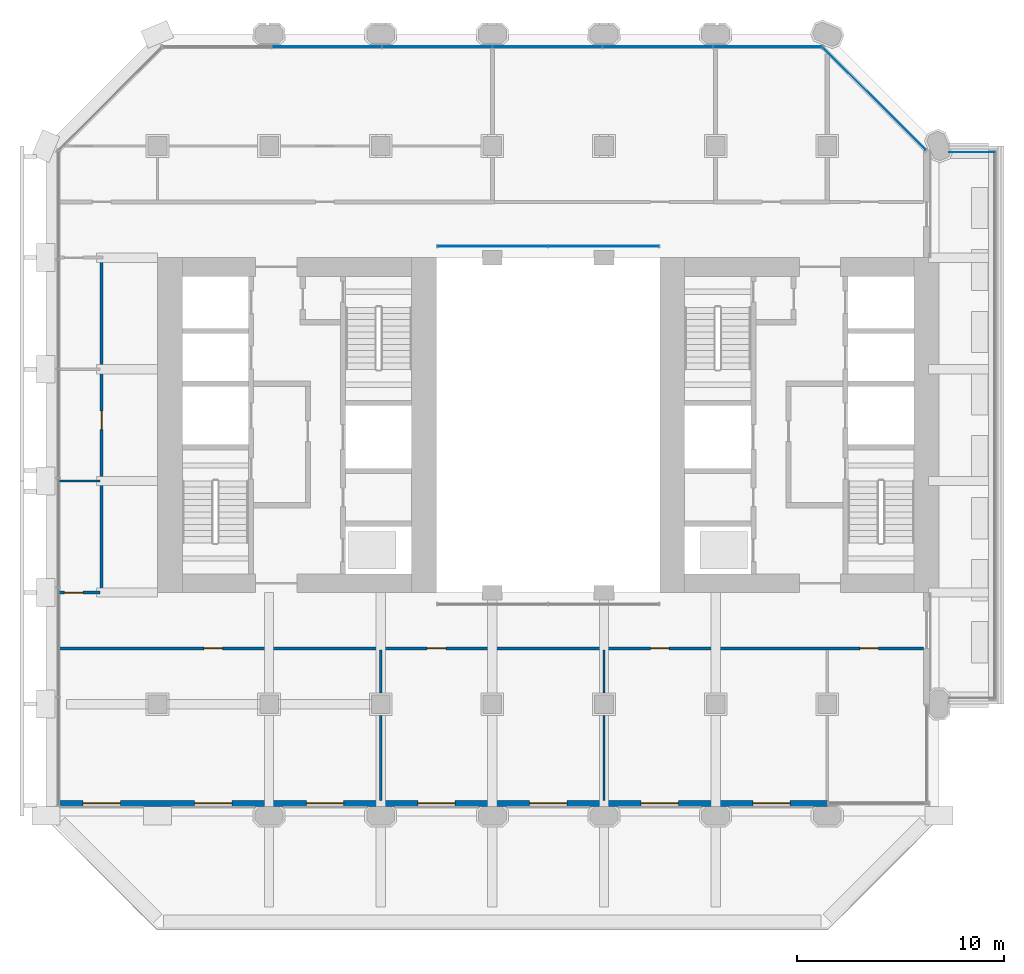
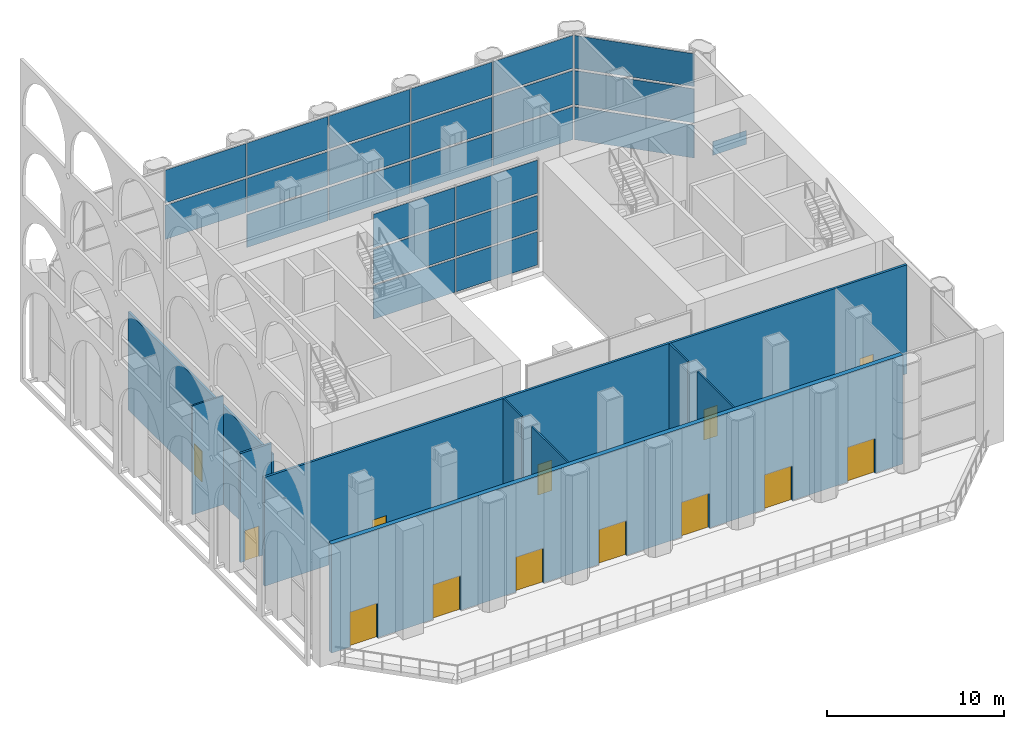
# One storey, part 9 of 20: 24 plates, 13 doors, 9 walls, 13 openings, 3 elements without a shape of their own.
"""IFC4 building model written with IfcOpenShell, lengths in metres."""

from ifc_helpers import new_model, si_unit, direction, frame, frame_2d, origin, origin_2d, place, context, subcontext, project, spatial, rectangle, extrude, material, layer, layer_set, type_object, element, fill, aggregate, save


model = new_model("IFC4")

# Units and contexts
model_context = context("Model", 3, precision=1e-05, world=origin(), true_north=direction((0.0, 1.0)))
body_context = subcontext(model_context, "Body", "Model", "MODEL_VIEW")
ifc_project = project(units=[si_unit("LENGTHUNIT", "METRE"), si_unit("AREAUNIT", "SQUARE_METRE"), si_unit("VOLUMEUNIT", "CUBIC_METRE"), si_unit("PLANEANGLEUNIT", "RADIAN"), si_unit("MASSUNIT", "GRAM", prefix="KILO")], contexts=[model_context])

# Site, building, storey
site_placement = place(None, origin())
site = spatial("IfcSite", under=ifc_project, at=site_placement, CompositionType="ELEMENT")
building_placement = place(site_placement, origin())
building = spatial("IfcBuilding", under=site, at=building_placement, Name="Tabaq Tower and Sports Hall", CompositionType="ELEMENT")
storey_placement = place(building_placement, frame((0.0, 0.0, 130.60009765625)))
storey = spatial("IfcBuildingStorey", under=building, at=storey_placement, Name="L31", CompositionType="ELEMENT", Elevation=130.60009765625)

# Curtain wall, plates
ifc_material_1 = material(Name="Aluminium alloy 6063-T6 framed glazing", Category="aluminium")
curtain_wall_type_1 = type_object("IfcCurtainWallType", Name="CW1 curtain wall", PredefinedType="USERDEFINED", material=ifc_material_1)
curtain_wall_1_placement = place(storey_placement, origin())
curtain_wall_1 = element("IfcCurtainWall", 1, at=curtain_wall_1_placement, inside=storey, type_object=curtain_wall_type_1, Name="Atrium glazing L31 N", ObjectType="ATRIUM ENCLOSURE", PredefinedType="USERDEFINED")
ifc_material_2 = material(Name="Clear low-emissivity glass 28 mm", Category="glass")
ifc_layer_1 = layer(ifc_material_2, 0.028076171875)
ifc_layer_set_1 = layer_set([ifc_layer_1], Name="CW1 glass panel 28")
plate_type_1 = type_object("IfcPlateType", Name="CW1 glass panel 28", PredefinedType="CURTAIN_PANEL", material=ifc_layer_set_1)
plate_1_placement = place(storey_placement, frame((21.614990234375, 32.949951171875, 0.139892578125), z_axis=(0.0, 0.0, 1.0), x_axis=(1.0, 0.0, 0.0)))
plate_1 = element("IfcPlate", 2, at=plate_1_placement, type_object=plate_type_1, Name="CW1 panel 1.1", PredefinedType="CURTAIN_PANEL", context=body_context, shape_type="SweptSolid", body=[
    extrude(rectangle(XDim=5.31005859375, YDim=0.028076171875, at=origin_2d()), origin(), (0.0, 0.0, 1.0), 2.2900390625),
])
plate_2_placement = place(storey_placement, frame((21.614990234375, 32.949951171875, 2.56982421875), z_axis=(0.0, 0.0, 1.0), x_axis=(1.0, 0.0, 0.0)))
plate_2 = element("IfcPlate", 3, at=plate_2_placement, type_object=plate_type_1, Name="CW1 panel 1.2", PredefinedType="CURTAIN_PANEL", context=body_context, shape_type="SweptSolid", body=[
    extrude(rectangle(XDim=5.31005859375, YDim=0.028076171875, at=origin_2d()), origin(), (0.0, 0.0, 1.0), 2.360107421875),
])
plate_3_placement = place(storey_placement, frame((21.614990234375, 32.949951171875, 5.06982421875), z_axis=(0.0, 0.0, 1.0), x_axis=(1.0, 0.0, 0.0)))
plate_3 = element("IfcPlate", 4, at=plate_3_placement, type_object=plate_type_1, Name="CW1 panel 1.3", PredefinedType="CURTAIN_PANEL", context=body_context, shape_type="SweptSolid", body=[
    extrude(rectangle(XDim=5.31005859375, YDim=0.028076171875, at=origin_2d()), origin(), (0.0, 0.0, 1.0), 2.2900390625),
])
plate_4_placement = place(storey_placement, frame((26.985107421875, 32.949951171875, 0.139892578125), z_axis=(0.0, 0.0, 1.0), x_axis=(1.0, 0.0, 0.0)))
plate_4 = element("IfcPlate", 5, at=plate_4_placement, type_object=plate_type_1, Name="CW1 panel 2.1", PredefinedType="CURTAIN_PANEL", context=body_context, shape_type="SweptSolid", body=[
    extrude(rectangle(XDim=5.31005859375, YDim=0.028076171875, at=origin_2d()), origin(), (0.0, 0.0, 1.0), 2.2900390625),
])
plate_5_placement = place(storey_placement, frame((26.985107421875, 32.949951171875, 2.56982421875), z_axis=(0.0, 0.0, 1.0), x_axis=(1.0, 0.0, 0.0)))
plate_5 = element("IfcPlate", 6, at=plate_5_placement, type_object=plate_type_1, Name="CW1 panel 2.2", PredefinedType="CURTAIN_PANEL", context=body_context, shape_type="SweptSolid", body=[
    extrude(rectangle(XDim=5.31005859375, YDim=0.028076171875, at=origin_2d()), origin(), (0.0, 0.0, 1.0), 2.360107421875),
])
plate_6_placement = place(storey_placement, frame((26.985107421875, 32.949951171875, 5.06982421875), z_axis=(0.0, 0.0, 1.0), x_axis=(1.0, 0.0, 0.0)))
plate_6 = element("IfcPlate", 7, at=plate_6_placement, type_object=plate_type_1, Name="CW1 panel 2.3", PredefinedType="CURTAIN_PANEL", context=body_context, shape_type="SweptSolid", body=[
    extrude(rectangle(XDim=5.31005859375, YDim=0.028076171875, at=origin_2d()), origin(), (0.0, 0.0, 1.0), 2.2900390625),
])
aggregate(curtain_wall_1, [plate_1, plate_2, plate_3, plate_4, plate_5, plate_6])

ifc_material_3 = material(Name="Aluminium alloy 6063-T6 framed glazing", Category="aluminium")
curtain_wall_type_2 = type_object("IfcCurtainWallType", Name="CW2 curtain wall", PredefinedType="USERDEFINED", material=ifc_material_3)
curtain_wall_2_placement = place(storey_placement, origin())
curtain_wall_2 = element("IfcCurtainWall", 8, at=curtain_wall_2_placement, inside=storey, type_object=curtain_wall_type_2, Name="Sky Lobby Wall L31 NE", ObjectType="SKY LOBBY WALL", PredefinedType="USERDEFINED")
ifc_material_4 = material(Name="Clear low-emissivity glass 28 mm", Category="glass")
ifc_layer_2 = layer(ifc_material_4, 0.031982421875)
ifc_layer_set_2 = layer_set([ifc_layer_2], Name="CW2 glass panel 32")
plate_type_2 = type_object("IfcPlateType", Name="CW2 glass panel 32", PredefinedType="CURTAIN_PANEL", material=ifc_layer_set_2)
plate_7_placement = place(storey_placement, frame((40.07568359375, 40.07568359375, 0.15966796875), z_axis=(0.0, 0.0, 1.0), x_axis=(-0.707106781187, 0.707106781187, 0.0)))
plate_7 = element("IfcPlate", 9, at=plate_7_placement, type_object=plate_type_2, Name="CW2 panel 1.1", PredefinedType="CURTAIN_PANEL", context=body_context, shape_type="SweptSolid", body=[
    extrude(rectangle(XDim=6.999755859375, YDim=0.031982421875, at=origin_2d()), origin(), (0.0, 0.0, 1.0), 2.260009765625),
])
plate_8_placement = place(storey_placement, frame((40.07568359375, 40.07568359375, 2.580078125), z_axis=(0.0, 0.0, 1.0), x_axis=(-0.707106781187, 0.707106781187, 0.0)))
plate_8 = element("IfcPlate", 10, at=plate_8_placement, type_object=plate_type_2, Name="CW2 panel 1.2", PredefinedType="CURTAIN_PANEL", context=body_context, shape_type="SweptSolid", body=[
    extrude(rectangle(XDim=6.999755859375, YDim=0.031982421875, at=origin_2d()), origin(), (0.0, 0.0, 1.0), 2.340087890625),
])
plate_9_placement = place(storey_placement, frame((40.07568359375, 40.07568359375, 5.080078125), z_axis=(0.0, 0.0, 1.0), x_axis=(-0.707106781187, 0.707106781187, 0.0)))
plate_9 = element("IfcPlate", 11, at=plate_9_placement, type_object=plate_type_2, Name="CW2 panel 1.3", PredefinedType="CURTAIN_PANEL", context=body_context, shape_type="SweptSolid", body=[
    extrude(rectangle(XDim=6.999755859375, YDim=0.031982421875, at=origin_2d()), origin(), (0.0, 0.0, 1.0), 2.260009765625),
])
aggregate(curtain_wall_2, [plate_7, plate_8, plate_9])

curtain_wall_3_placement = place(storey_placement, origin())
curtain_wall_3 = element("IfcCurtainWall", 12, at=curtain_wall_3_placement, inside=storey, type_object=curtain_wall_type_2, Name="Sky Lobby Wall L31 N", ObjectType="SKY LOBBY WALL", PredefinedType="USERDEFINED")
plate_10_placement = place(storey_placement, frame((34.92724609375, 42.60009765625, 0.15966796875), z_axis=(0.0, 0.0, 1.0), x_axis=(-1.0, 0.0, 0.0)))
plate_10 = element("IfcPlate", 13, at=plate_10_placement, type_object=plate_type_2, Name="CW2 panel 1.1", PredefinedType="CURTAIN_PANEL", context=body_context, shape_type="SweptSolid", body=[
    extrude(rectangle(XDim=5.23291015625, YDim=0.031982421875, at=origin_2d()), origin(), (0.0, 0.0, 1.0), 2.260009765625),
])
plate_11_placement = place(storey_placement, frame((34.92724609375, 42.60009765625, 2.580078125), z_axis=(0.0, 0.0, 1.0), x_axis=(-1.0, 0.0, 0.0)))
plate_11 = element("IfcPlate", 14, at=plate_11_placement, type_object=plate_type_2, Name="CW2 panel 1.2", PredefinedType="CURTAIN_PANEL", context=body_context, shape_type="SweptSolid", body=[
    extrude(rectangle(XDim=5.23291015625, YDim=0.031982421875, at=origin_2d()), origin(), (0.0, 0.0, 1.0), 2.340087890625),
])
plate_12_placement = place(storey_placement, frame((34.92724609375, 42.60009765625, 5.080078125), z_axis=(0.0, 0.0, 1.0), x_axis=(-1.0, 0.0, 0.0)))
plate_12 = element("IfcPlate", 15, at=plate_12_placement, type_object=plate_type_2, Name="CW2 panel 1.3", PredefinedType="CURTAIN_PANEL", context=body_context, shape_type="SweptSolid", body=[
    extrude(rectangle(XDim=5.23291015625, YDim=0.031982421875, at=origin_2d()), origin(), (0.0, 0.0, 1.0), 2.260009765625),
])
plate_13_placement = place(storey_placement, frame((29.606689453125, 42.60009765625, 0.15966796875), z_axis=(0.0, 0.0, 1.0), x_axis=(-1.0, 0.0, 0.0)))
plate_13 = element("IfcPlate", 16, at=plate_13_placement, type_object=plate_type_2, Name="CW2 panel 2.1", PredefinedType="CURTAIN_PANEL", context=body_context, shape_type="SweptSolid", body=[
    extrude(rectangle(XDim=5.267822265625, YDim=0.031982421875, at=origin_2d()), origin(), (0.0, 0.0, 1.0), 2.260009765625),
])
plate_14_placement = place(storey_placement, frame((29.606689453125, 42.60009765625, 2.580078125), z_axis=(0.0, 0.0, 1.0), x_axis=(-1.0, 0.0, 0.0)))
plate_14 = element("IfcPlate", 17, at=plate_14_placement, type_object=plate_type_2, Name="CW2 panel 2.2", PredefinedType="CURTAIN_PANEL", context=body_context, shape_type="SweptSolid", body=[
    extrude(rectangle(XDim=5.267822265625, YDim=0.031982421875, at=origin_2d()), origin(), (0.0, 0.0, 1.0), 2.340087890625),
])
plate_15_placement = place(storey_placement, frame((29.606689453125, 42.60009765625, 5.080078125), z_axis=(0.0, 0.0, 1.0), x_axis=(-1.0, 0.0, 0.0)))
plate_15 = element("IfcPlate", 18, at=plate_15_placement, type_object=plate_type_2, Name="CW2 panel 2.3", PredefinedType="CURTAIN_PANEL", context=body_context, shape_type="SweptSolid", body=[
    extrude(rectangle(XDim=5.267822265625, YDim=0.031982421875, at=origin_2d()), origin(), (0.0, 0.0, 1.0), 2.260009765625),
])
plate_16_placement = place(storey_placement, frame((24.26904296875, 42.60009765625, 0.15966796875), z_axis=(0.0, 0.0, 1.0), x_axis=(-1.0, 0.0, 0.0)))
plate_16 = element("IfcPlate", 19, at=plate_16_placement, type_object=plate_type_2, Name="CW2 panel 3.1", PredefinedType="CURTAIN_PANEL", context=body_context, shape_type="SweptSolid", body=[
    extrude(rectangle(XDim=5.267822265625, YDim=0.031982421875, at=origin_2d()), origin(), (0.0, 0.0, 1.0), 2.260009765625),
])
plate_17_placement = place(storey_placement, frame((24.26904296875, 42.60009765625, 2.580078125), z_axis=(0.0, 0.0, 1.0), x_axis=(-1.0, 0.0, 0.0)))
plate_17 = element("IfcPlate", 20, at=plate_17_placement, type_object=plate_type_2, Name="CW2 panel 3.2", PredefinedType="CURTAIN_PANEL", context=body_context, shape_type="SweptSolid", body=[
    extrude(rectangle(XDim=5.267822265625, YDim=0.031982421875, at=origin_2d()), origin(), (0.0, 0.0, 1.0), 2.340087890625),
])
plate_18_placement = place(storey_placement, frame((24.26904296875, 42.60009765625, 5.080078125), z_axis=(0.0, 0.0, 1.0), x_axis=(-1.0, 0.0, 0.0)))
plate_18 = element("IfcPlate", 21, at=plate_18_placement, type_object=plate_type_2, Name="CW2 panel 3.3", PredefinedType="CURTAIN_PANEL", context=body_context, shape_type="SweptSolid", body=[
    extrude(rectangle(XDim=5.267822265625, YDim=0.031982421875, at=origin_2d()), origin(), (0.0, 0.0, 1.0), 2.260009765625),
])
plate_19_placement = place(storey_placement, frame((18.93115234375, 42.60009765625, 0.15966796875), z_axis=(0.0, 0.0, 1.0), x_axis=(-1.0, 0.0, 0.0)))
plate_19 = element("IfcPlate", 22, at=plate_19_placement, type_object=plate_type_2, Name="CW2 panel 4.1", PredefinedType="CURTAIN_PANEL", context=body_context, shape_type="SweptSolid", body=[
    extrude(rectangle(XDim=5.267822265625, YDim=0.031982421875, at=origin_2d()), origin(), (0.0, 0.0, 1.0), 2.260009765625),
])
plate_20_placement = place(storey_placement, frame((18.93115234375, 42.60009765625, 2.580078125), z_axis=(0.0, 0.0, 1.0), x_axis=(-1.0, 0.0, 0.0)))
plate_20 = element("IfcPlate", 23, at=plate_20_placement, type_object=plate_type_2, Name="CW2 panel 4.2", PredefinedType="CURTAIN_PANEL", context=body_context, shape_type="SweptSolid", body=[
    extrude(rectangle(XDim=5.267822265625, YDim=0.031982421875, at=origin_2d()), origin(), (0.0, 0.0, 1.0), 2.340087890625),
])
plate_21_placement = place(storey_placement, frame((18.93115234375, 42.60009765625, 5.080078125), z_axis=(0.0, 0.0, 1.0), x_axis=(-1.0, 0.0, 0.0)))
plate_21 = element("IfcPlate", 24, at=plate_21_placement, type_object=plate_type_2, Name="CW2 panel 4.3", PredefinedType="CURTAIN_PANEL", context=body_context, shape_type="SweptSolid", body=[
    extrude(rectangle(XDim=5.267822265625, YDim=0.031982421875, at=origin_2d()), origin(), (0.0, 0.0, 1.0), 2.260009765625),
])
plate_22_placement = place(storey_placement, frame((13.59326171875, 42.60009765625, 2.580078125), z_axis=(0.0, 0.0, 1.0), x_axis=(-1.0, 0.0, 0.0)))
plate_22 = element("IfcPlate", 25, at=plate_22_placement, type_object=plate_type_2, Name="CW2 panel 5.2", PredefinedType="CURTAIN_PANEL", context=body_context, shape_type="SweptSolid", body=[
    extrude(rectangle(XDim=5.267822265625, YDim=0.031982421875, at=origin_2d()), origin(), (0.0, 0.0, 1.0), 2.340087890625),
])
plate_23_placement = place(storey_placement, frame((13.59326171875, 42.60009765625, 5.080078125), z_axis=(0.0, 0.0, 1.0), x_axis=(-1.0, 0.0, 0.0)))
plate_23 = element("IfcPlate", 26, at=plate_23_placement, type_object=plate_type_2, Name="CW2 panel 5.3", PredefinedType="CURTAIN_PANEL", context=body_context, shape_type="SweptSolid", body=[
    extrude(rectangle(XDim=5.267822265625, YDim=0.031982421875, at=origin_2d()), origin(), (0.0, 0.0, 1.0), 2.260009765625),
])
aggregate(curtain_wall_3, [plate_10, plate_11, plate_12, plate_13, plate_14, plate_15, plate_16, plate_17, plate_18, plate_19, plate_20, plate_21, plate_22, plate_23])

# Plate
ifc_material_5 = material(Name="Clear low-emissivity glass 28 mm", Category="glass")
ifc_layer_3 = layer(ifc_material_5, 0.02001953125)
ifc_layer_set_3 = layer_set([ifc_layer_3], Name="Laminated glass tray guard panel 20")
plate_type_3 = type_object("IfcPlateType", Name="Laminated glass tray guard panel 20", PredefinedType="USERDEFINED", material=ifc_layer_set_3)
plate_24_placement = place(storey_placement, frame((45.89990234375, 37.5, 0.0), z_axis=(0.0, 0.0, 1.0), x_axis=(-1.0, 0.0, 0.0)))
element("IfcPlate", 27, at=plate_24_placement, inside=storey, type_object=plate_type_3, Name="Tray guard glass L31", ObjectType="GUARD GLASS", PredefinedType="USERDEFINED", context=body_context, shape_type="SweptSolid", body=[
    extrude(rectangle(XDim=2.199951171875, YDim=0.02001953125, at=frame_2d((1.10009765625, 0.0))), origin(), (0.0, 0.0, 1.0), 0.949951171875),
])

# Walls
ifc_material_6 = material(Name="Gypsum board on steel studs", Category="steel")
ifc_layer_4 = layer(ifc_material_6, 0.10009765625)
ifc_layer_set_4 = layer_set([ifc_layer_4], Name="Partition 100 Gypsum board")
wall_type_1 = type_object("IfcWallType", Name="Partition 100 Gypsum board", PredefinedType="PARTITIONING", material=ifc_layer_set_4)
wall_1_placement = place(storey_placement, frame((16.199951171875, 6.15087890625, 0.0), z_axis=(0.0, 0.0, 1.0), x_axis=(0.0, 1.0, 0.0)))
element("IfcWall", 28, at=wall_1_placement, inside=storey, type_object=wall_type_1, Name="Partition wall L31", PredefinedType="PARTITIONING", context=body_context, shape_type="SweptSolid", body=[
    extrude(rectangle(XDim=4.098388671875, YDim=0.10009765625, at=frame_2d((2.04931640625, 0.0))), origin(), (0.0, 0.0, 1.0), 7.5),
])
wall_2_placement = place(storey_placement, frame((16.199951171875, 11.3505859375, 0.0), z_axis=(0.0, 0.0, 1.0), x_axis=(0.0, 1.0, 0.0)))
element("IfcWall", 29, at=wall_2_placement, inside=storey, type_object=wall_type_1, Name="Partition wall L31", PredefinedType="PARTITIONING", context=body_context, shape_type="SweptSolid", body=[
    extrude(rectangle(XDim=2.074462890625, YDim=0.10009765625, at=frame_2d((1.037109375, 0.0))), origin(), (0.0, 0.0, 1.0), 7.5),
])
wall_3_placement = place(storey_placement, frame((27.0, 6.15087890625, 0.0), z_axis=(0.0, 0.0, 1.0), x_axis=(0.0, 1.0, 0.0)))
element("IfcWall", 30, at=wall_3_placement, inside=storey, type_object=wall_type_1, Name="Partition wall L31", PredefinedType="PARTITIONING", context=body_context, shape_type="SweptSolid", body=[
    extrude(rectangle(XDim=4.098388671875, YDim=0.10009765625, at=frame_2d((2.04931640625, 0.0))), origin(), (0.0, 0.0, 1.0), 7.5),
])
wall_4_placement = place(storey_placement, frame((27.0, 11.3505859375, 0.0), z_axis=(0.0, 0.0, 1.0), x_axis=(0.0, 1.0, 0.0)))
element("IfcWall", 31, at=wall_4_placement, inside=storey, type_object=wall_type_1, Name="Partition wall L31", PredefinedType="PARTITIONING", context=body_context, shape_type="SweptSolid", body=[
    extrude(rectangle(XDim=2.074462890625, YDim=0.10009765625, at=frame_2d((1.037109375, 0.0))), origin(), (0.0, 0.0, 1.0), 7.5),
])
wall_5_placement = place(storey_placement, frame((2.625, 21.60009765625, 0.0), z_axis=(0.0, 0.0, 1.0), x_axis=(-1.0, 0.0, 0.0)))
element("IfcWall", 32, at=wall_5_placement, inside=storey, type_object=wall_type_1, Name="Partition wall L31", PredefinedType="PARTITIONING", context=body_context, shape_type="SweptSolid", body=[
    extrude(rectangle(XDim=2.02490234375, YDim=0.10009765625, at=frame_2d((1.012451171875, 0.0))), origin(), (0.0, 0.0, 1.0), 7.5),
])

# Wall, opening, door
ifc_material_7 = material(Name="Blockwork", Category="masonry")
ifc_layer_5 = layer(ifc_material_7, 0.14990234375)
ifc_layer_set_5 = layer_set([ifc_layer_5], Name="Separating wall 150 Blockwork")
wall_type_2 = type_object("IfcWallType", Name="Separating wall 150 Blockwork", PredefinedType="PARTITIONING", material=ifc_layer_set_5)
wall_6_placement = place(storey_placement, frame((2.699951171875, 32.324951171875, 0.0), z_axis=(0.0, 0.0, 1.0), x_axis=(0.0, -1.0, 0.0)))
wall_6 = element("IfcWall", 33, at=wall_6_placement, inside=storey, type_object=wall_type_2, Name="Separating wall L31", PredefinedType="PARTITIONING", context=body_context, shape_type="SweptSolid", body=[
    extrude(rectangle(XDim=16.199951171875, YDim=0.14990234375, at=frame_2d((8.10009765625, 0.0))), origin(), (0.0, 0.0, 1.0), 6.75),
])
opening_1_placement = place(wall_6_placement, frame((7.35009765625, 0.0, 0.0)))
opening_1 = element("IfcOpeningElement", 34, at=opening_1_placement, cuts=wall_6, Name="Opening L31-006", PredefinedType="OPENING", context=body_context, shape_type="SweptSolid", body=[
    extrude(rectangle(XDim=0.89990234375, YDim=2.10009765625, at=frame_2d((0.449951171875, 1.050048828125))), frame((0.0, 0.074951171875, 0.0), z_axis=(0.0, -1.0, 0.0), x_axis=(1.0, 0.0, 0.0)), (0.0, 0.0, 1.0), 0.14990234375),
])
ifc_material_8 = material(Name="Timber leaf in steel frame", Category="steel")
door_type_1 = type_object("IfcDoorType", Name="Internal door 900 right hand", OperationType="SINGLE_SWING_RIGHT", PredefinedType="DOOR", material=ifc_material_8)
door_1_placement = place(opening_1_placement, origin())
door_1 = element("IfcDoor", 35, at=door_1_placement, inside=storey, type_object=door_type_1, Name="Internal door L31-006", OperationType="SINGLE_SWING_RIGHT", OverallHeight=2.10009765625, OverallWidth=0.89990234375, PredefinedType="DOOR", context=body_context, shape_type="SweptSolid", body=[
    extrude(rectangle(XDim=0.89990234375, YDim=2.10009765625, at=frame_2d((0.449951171875, 1.050048828125))), frame((0.0, 0.02490234375, 0.0), z_axis=(0.0, -1.0, 0.0), x_axis=(1.0, 0.0, 0.0)), (0.0, 0.0, 1.0), 0.050048828125),
])
fill(opening_1, door_1)

wall_7_placement = place(storey_placement, frame((2.625, 16.199951171875, 0.0), z_axis=(0.0, 0.0, 1.0), x_axis=(-1.0, 0.0, 0.0)))
wall_7 = element("IfcWall", 36, at=wall_7_placement, inside=storey, type_object=wall_type_2, Name="Separating wall L31", PredefinedType="PARTITIONING", context=body_context, shape_type="SweptSolid", body=[
    extrude(rectangle(XDim=2.02490234375, YDim=0.14990234375, at=frame_2d((1.012451171875, 0.0))), origin(), (0.0, 0.0, 1.0), 7.5),
])
opening_2_placement = place(wall_7_placement, frame((0.824951171875, 0.0, 0.0)))
opening_2 = element("IfcOpeningElement", 37, at=opening_2_placement, cuts=wall_7, Name="Opening L31-005", PredefinedType="OPENING", context=body_context, shape_type="SweptSolid", body=[
    extrude(rectangle(XDim=0.89990234375, YDim=2.10009765625, at=frame_2d((0.449951171875, 1.050048828125))), frame((0.0, 0.074951171875, 0.0), z_axis=(0.0, -1.0, 0.0), x_axis=(1.0, 0.0, 0.0)), (0.0, 0.0, 1.0), 0.14990234375),
])
door_2_placement = place(opening_2_placement, origin())
door_2 = element("IfcDoor", 38, at=door_2_placement, inside=storey, type_object=door_type_1, Name="Internal door L31-005", OperationType="SINGLE_SWING_RIGHT", OverallHeight=2.10009765625, OverallWidth=0.89990234375, PredefinedType="DOOR", context=body_context, shape_type="SweptSolid", body=[
    extrude(rectangle(XDim=0.89990234375, YDim=2.10009765625, at=frame_2d((0.449951171875, 1.050048828125))), frame((0.0, 0.02490234375, 0.0), z_axis=(0.0, -1.0, 0.0), x_axis=(1.0, 0.0, 0.0)), (0.0, 0.0, 1.0), 0.050048828125),
])
fill(opening_2, door_2)

# Wall, openings, doors
wall_8_placement = place(storey_placement, frame((0.60009765625, 13.5, 0.0), z_axis=(0.0, 0.0, 1.0), x_axis=(1.0, 0.0, 0.0)))
wall_8 = element("IfcWall", 39, at=wall_8_placement, inside=storey, type_object=wall_type_2, Name="Separating wall L31", PredefinedType="PARTITIONING", context=body_context, shape_type="SweptSolid", body=[
    extrude(rectangle(XDim=41.848876953125, YDim=0.14990234375, at=frame_2d((20.92431640625, 0.0))), origin(), (0.0, 0.0, 1.0), 7.5),
])
opening_3_placement = place(wall_8_placement, frame((38.77490234375, 0.0, 0.0)))
opening_3 = element("IfcOpeningElement", 40, at=opening_3_placement, cuts=wall_8, Name="Opening L31-004", PredefinedType="OPENING", context=body_context, shape_type="SweptSolid", body=[
    extrude(rectangle(XDim=0.89990234375, YDim=2.10009765625, at=frame_2d((0.449951171875, 1.050048828125))), frame((0.0, 0.074951171875, 0.0), z_axis=(0.0, -1.0, 0.0), x_axis=(1.0, 0.0, 0.0)), (0.0, 0.0, 1.0), 0.14990234375),
])
opening_4_placement = place(wall_8_placement, frame((7.050048828125, 0.0, 0.0)))
opening_4 = element("IfcOpeningElement", 41, at=opening_4_placement, cuts=wall_8, Name="Opening L31-010", PredefinedType="OPENING", context=body_context, shape_type="SweptSolid", body=[
    extrude(rectangle(XDim=0.89990234375, YDim=2.10009765625, at=frame_2d((0.449951171875, 1.050048828125))), frame((0.0, 0.074951171875, 0.0), z_axis=(0.0, -1.0, 0.0), x_axis=(1.0, 0.0, 0.0)), (0.0, 0.0, 1.0), 0.14990234375),
])
opening_5_placement = place(wall_8_placement, frame((17.85009765625, 0.0, 0.0)))
opening_5 = element("IfcOpeningElement", 42, at=opening_5_placement, cuts=wall_8, Name="Opening L31-011", PredefinedType="OPENING", context=body_context, shape_type="SweptSolid", body=[
    extrude(rectangle(XDim=0.89990234375, YDim=2.10009765625, at=frame_2d((0.449951171875, 1.050048828125))), frame((0.0, 0.074951171875, 0.0), z_axis=(0.0, -1.0, 0.0), x_axis=(1.0, 0.0, 0.0)), (0.0, 0.0, 1.0), 0.14990234375),
])
opening_6_placement = place(wall_8_placement, frame((28.64990234375, 0.0, 0.0)))
opening_6 = element("IfcOpeningElement", 43, at=opening_6_placement, cuts=wall_8, Name="Opening L31-012", PredefinedType="OPENING", context=body_context, shape_type="SweptSolid", body=[
    extrude(rectangle(XDim=0.89990234375, YDim=2.10009765625, at=frame_2d((0.449951171875, 1.050048828125))), frame((0.0, 0.074951171875, 0.0), z_axis=(0.0, -1.0, 0.0), x_axis=(1.0, 0.0, 0.0)), (0.0, 0.0, 1.0), 0.14990234375),
])
ifc_material_9 = material(Name="Timber leaf in steel frame", Category="steel")
door_type_2 = type_object("IfcDoorType", Name="Internal door 900 left hand", OperationType="SINGLE_SWING_LEFT", PredefinedType="DOOR", material=ifc_material_9)
door_3_placement = place(opening_3_placement, origin())
door_3 = element("IfcDoor", 44, at=door_3_placement, inside=storey, type_object=door_type_2, Name="Internal door L31-004", OperationType="SINGLE_SWING_LEFT", OverallHeight=2.10009765625, OverallWidth=0.89990234375, PredefinedType="DOOR", context=body_context, shape_type="SweptSolid", body=[
    extrude(rectangle(XDim=0.89990234375, YDim=2.10009765625, at=frame_2d((0.449951171875, 1.050048828125))), frame((0.0, 0.02490234375, 0.0), z_axis=(0.0, -1.0, 0.0), x_axis=(1.0, 0.0, 0.0)), (0.0, 0.0, 1.0), 0.050048828125),
])
fill(opening_3, door_3)
door_4_placement = place(opening_4_placement, origin())
door_4 = element("IfcDoor", 45, at=door_4_placement, inside=storey, type_object=door_type_1, Name="Internal door L31-010", OperationType="SINGLE_SWING_RIGHT", OverallHeight=2.10009765625, OverallWidth=0.89990234375, PredefinedType="DOOR", context=body_context, shape_type="SweptSolid", body=[
    extrude(rectangle(XDim=0.89990234375, YDim=2.10009765625, at=frame_2d((0.449951171875, 1.050048828125))), frame((0.0, 0.02490234375, 0.0), z_axis=(0.0, -1.0, 0.0), x_axis=(1.0, 0.0, 0.0)), (0.0, 0.0, 1.0), 0.050048828125),
])
fill(opening_4, door_4)
door_5_placement = place(opening_5_placement, origin())
door_5 = element("IfcDoor", 46, at=door_5_placement, inside=storey, type_object=door_type_1, Name="Internal door L31-011", OperationType="SINGLE_SWING_RIGHT", OverallHeight=2.10009765625, OverallWidth=0.89990234375, PredefinedType="DOOR", context=body_context, shape_type="SweptSolid", body=[
    extrude(rectangle(XDim=0.89990234375, YDim=2.10009765625, at=frame_2d((0.449951171875, 1.050048828125))), frame((0.0, 0.02490234375, 0.0), z_axis=(0.0, -1.0, 0.0), x_axis=(1.0, 0.0, 0.0)), (0.0, 0.0, 1.0), 0.050048828125),
])
fill(opening_5, door_5)
door_6_placement = place(opening_6_placement, origin())
door_6 = element("IfcDoor", 47, at=door_6_placement, inside=storey, type_object=door_type_1, Name="Internal door L31-012", OperationType="SINGLE_SWING_RIGHT", OverallHeight=2.10009765625, OverallWidth=0.89990234375, PredefinedType="DOOR", context=body_context, shape_type="SweptSolid", body=[
    extrude(rectangle(XDim=0.89990234375, YDim=2.10009765625, at=frame_2d((0.449951171875, 1.050048828125))), frame((0.0, 0.02490234375, 0.0), z_axis=(0.0, -1.0, 0.0), x_axis=(1.0, 0.0, 0.0)), (0.0, 0.0, 1.0), 0.050048828125),
])
fill(opening_6, door_6)

ifc_material_10 = material(Name="White precast concrete C60/75", Category="concrete")
ifc_layer_6 = layer(ifc_material_10, 0.300048828125)
ifc_layer_set_6 = layer_set([ifc_layer_6], Name="White precast concrete C60/75 external wall 300")
wall_type_3 = type_object("IfcWallType", Name="White precast concrete C60/75 external wall 300", PredefinedType="SOLIDWALL", material=ifc_layer_set_6)
wall_9_placement = place(storey_placement, frame((0.60009765625, 6.0, 0.0), z_axis=(0.0, 0.0, 1.0), x_axis=(1.0, 0.0, 0.0)))
wall_9 = element("IfcWall", 48, at=wall_9_placement, inside=storey, type_object=wall_type_3, Name="External Wall L31 S", PredefinedType="SOLIDWALL", context=body_context, shape_type="SweptSolid", body=[
    extrude(rectangle(XDim=37.199951171875, YDim=0.300048828125, at=frame_2d((18.60009765625, 0.0))), origin(), (0.0, 0.0, 1.0), 7.5),
])
opening_7_placement = place(wall_9_placement, frame((1.199951171875, 0.0, 0.0)))
opening_7 = element("IfcOpeningElement", 49, at=opening_7_placement, cuts=wall_9, Name="Opening TD3101", PredefinedType="OPENING", context=body_context, shape_type="SweptSolid", body=[
    extrude(rectangle(XDim=1.800048828125, YDim=2.39990234375, at=frame_2d((0.89990234375, 1.199951171875))), frame((0.0, 0.16015625, 0.0), z_axis=(0.0, -1.0, 0.0), x_axis=(1.0, 0.0, 0.0)), (0.0, 0.0, 1.0), 0.320068359375),
])
opening_8_placement = place(wall_9_placement, frame((6.60009765625, 0.0, 0.0)))
opening_8 = element("IfcOpeningElement", 50, at=opening_8_placement, cuts=wall_9, Name="Opening TD3102", PredefinedType="OPENING", context=body_context, shape_type="SweptSolid", body=[
    extrude(rectangle(XDim=1.800048828125, YDim=2.39990234375, at=frame_2d((0.89990234375, 1.199951171875))), frame((0.0, 0.16015625, 0.0), z_axis=(0.0, -1.0, 0.0), x_axis=(1.0, 0.0, 0.0)), (0.0, 0.0, 1.0), 0.320068359375),
])
opening_9_placement = place(wall_9_placement, frame((12.0, 0.0, 0.0)))
opening_9 = element("IfcOpeningElement", 51, at=opening_9_placement, cuts=wall_9, Name="Opening TD3103", PredefinedType="OPENING", context=body_context, shape_type="SweptSolid", body=[
    extrude(rectangle(XDim=1.800048828125, YDim=2.39990234375, at=frame_2d((0.89990234375, 1.199951171875))), frame((0.0, 0.16015625, 0.0), z_axis=(0.0, -1.0, 0.0), x_axis=(1.0, 0.0, 0.0)), (0.0, 0.0, 1.0), 0.320068359375),
])
opening_10_placement = place(wall_9_placement, frame((17.39990234375, 0.0, 0.0)))
opening_10 = element("IfcOpeningElement", 52, at=opening_10_placement, cuts=wall_9, Name="Opening TD3104", PredefinedType="OPENING", context=body_context, shape_type="SweptSolid", body=[
    extrude(rectangle(XDim=1.800048828125, YDim=2.39990234375, at=frame_2d((0.89990234375, 1.199951171875))), frame((0.0, 0.16015625, 0.0), z_axis=(0.0, -1.0, 0.0), x_axis=(1.0, 0.0, 0.0)), (0.0, 0.0, 1.0), 0.320068359375),
])
opening_11_placement = place(wall_9_placement, frame((22.800048828125, 0.0, 0.0)))
opening_11 = element("IfcOpeningElement", 53, at=opening_11_placement, cuts=wall_9, Name="Opening TD3105", PredefinedType="OPENING", context=body_context, shape_type="SweptSolid", body=[
    extrude(rectangle(XDim=1.800048828125, YDim=2.39990234375, at=frame_2d((0.89990234375, 1.199951171875))), frame((0.0, 0.16015625, 0.0), z_axis=(0.0, -1.0, 0.0), x_axis=(1.0, 0.0, 0.0)), (0.0, 0.0, 1.0), 0.320068359375),
])
opening_12_placement = place(wall_9_placement, frame((28.199951171875, 0.0, 0.0)))
opening_12 = element("IfcOpeningElement", 54, at=opening_12_placement, cuts=wall_9, Name="Opening TD3106", PredefinedType="OPENING", context=body_context, shape_type="SweptSolid", body=[
    extrude(rectangle(XDim=1.800048828125, YDim=2.39990234375, at=frame_2d((0.89990234375, 1.199951171875))), frame((0.0, 0.16015625, 0.0), z_axis=(0.0, -1.0, 0.0), x_axis=(1.0, 0.0, 0.0)), (0.0, 0.0, 1.0), 0.320068359375),
])
opening_13_placement = place(wall_9_placement, frame((33.60009765625, 0.0, 0.0)))
opening_13 = element("IfcOpeningElement", 55, at=opening_13_placement, cuts=wall_9, Name="Opening TD3107", PredefinedType="OPENING", context=body_context, shape_type="SweptSolid", body=[
    extrude(rectangle(XDim=1.800048828125, YDim=2.39990234375, at=frame_2d((0.89990234375, 1.199951171875))), frame((0.0, 0.16015625, 0.0), z_axis=(0.0, -1.0, 0.0), x_axis=(1.0, 0.0, 0.0)), (0.0, 0.0, 1.0), 0.320068359375),
])
ifc_material_11 = material(Name="Aluminium framed clear glazing", Category="aluminium")
door_type_3 = type_object("IfcDoorType", Name="Terrace door TD1", OperationType="DOUBLE_DOOR_DOUBLE_SWING", PredefinedType="DOOR", material=ifc_material_11)
door_7_placement = place(opening_7_placement, origin())
door_7 = element("IfcDoor", 56, at=door_7_placement, inside=storey, type_object=door_type_3, Name="Terrace door TD3101", OperationType="DOUBLE_DOOR_DOUBLE_SWING", OverallHeight=2.39990234375, OverallWidth=1.800048828125, PredefinedType="DOOR", context=body_context, shape_type="SweptSolid", body=[
    extrude(rectangle(XDim=1.800048828125, YDim=2.39990234375, at=frame_2d((0.89990234375, 1.199951171875))), frame((0.0, 0.02490234375, 0.0), z_axis=(0.0, -1.0, 0.0), x_axis=(1.0, 0.0, 0.0)), (0.0, 0.0, 1.0), 0.050048828125),
])
fill(opening_7, door_7)
door_8_placement = place(opening_8_placement, origin())
door_8 = element("IfcDoor", 57, at=door_8_placement, inside=storey, type_object=door_type_3, Name="Terrace door TD3102", OperationType="DOUBLE_DOOR_DOUBLE_SWING", OverallHeight=2.39990234375, OverallWidth=1.800048828125, PredefinedType="DOOR", context=body_context, shape_type="SweptSolid", body=[
    extrude(rectangle(XDim=1.800048828125, YDim=2.39990234375, at=frame_2d((0.89990234375, 1.199951171875))), frame((0.0, 0.02490234375, 0.0), z_axis=(0.0, -1.0, 0.0), x_axis=(1.0, 0.0, 0.0)), (0.0, 0.0, 1.0), 0.050048828125),
])
fill(opening_8, door_8)
door_9_placement = place(opening_9_placement, origin())
door_9 = element("IfcDoor", 58, at=door_9_placement, inside=storey, type_object=door_type_3, Name="Terrace door TD3103", OperationType="DOUBLE_DOOR_DOUBLE_SWING", OverallHeight=2.39990234375, OverallWidth=1.800048828125, PredefinedType="DOOR", context=body_context, shape_type="SweptSolid", body=[
    extrude(rectangle(XDim=1.800048828125, YDim=2.39990234375, at=frame_2d((0.89990234375, 1.199951171875))), frame((0.0, 0.02490234375, 0.0), z_axis=(0.0, -1.0, 0.0), x_axis=(1.0, 0.0, 0.0)), (0.0, 0.0, 1.0), 0.050048828125),
])
fill(opening_9, door_9)
door_10_placement = place(opening_10_placement, origin())
door_10 = element("IfcDoor", 59, at=door_10_placement, inside=storey, type_object=door_type_3, Name="Terrace door TD3104", OperationType="DOUBLE_DOOR_DOUBLE_SWING", OverallHeight=2.39990234375, OverallWidth=1.800048828125, PredefinedType="DOOR", context=body_context, shape_type="SweptSolid", body=[
    extrude(rectangle(XDim=1.800048828125, YDim=2.39990234375, at=frame_2d((0.89990234375, 1.199951171875))), frame((0.0, 0.02490234375, 0.0), z_axis=(0.0, -1.0, 0.0), x_axis=(1.0, 0.0, 0.0)), (0.0, 0.0, 1.0), 0.050048828125),
])
fill(opening_10, door_10)
door_11_placement = place(opening_11_placement, origin())
door_11 = element("IfcDoor", 60, at=door_11_placement, inside=storey, type_object=door_type_3, Name="Terrace door TD3105", OperationType="DOUBLE_DOOR_DOUBLE_SWING", OverallHeight=2.39990234375, OverallWidth=1.800048828125, PredefinedType="DOOR", context=body_context, shape_type="SweptSolid", body=[
    extrude(rectangle(XDim=1.800048828125, YDim=2.39990234375, at=frame_2d((0.89990234375, 1.199951171875))), frame((0.0, 0.02490234375, 0.0), z_axis=(0.0, -1.0, 0.0), x_axis=(1.0, 0.0, 0.0)), (0.0, 0.0, 1.0), 0.050048828125),
])
fill(opening_11, door_11)
door_12_placement = place(opening_12_placement, origin())
door_12 = element("IfcDoor", 61, at=door_12_placement, inside=storey, type_object=door_type_3, Name="Terrace door TD3106", OperationType="DOUBLE_DOOR_DOUBLE_SWING", OverallHeight=2.39990234375, OverallWidth=1.800048828125, PredefinedType="DOOR", context=body_context, shape_type="SweptSolid", body=[
    extrude(rectangle(XDim=1.800048828125, YDim=2.39990234375, at=frame_2d((0.89990234375, 1.199951171875))), frame((0.0, 0.02490234375, 0.0), z_axis=(0.0, -1.0, 0.0), x_axis=(1.0, 0.0, 0.0)), (0.0, 0.0, 1.0), 0.050048828125),
])
fill(opening_12, door_12)
door_13_placement = place(opening_13_placement, origin())
door_13 = element("IfcDoor", 62, at=door_13_placement, inside=storey, type_object=door_type_3, Name="Terrace door TD3107", OperationType="DOUBLE_DOOR_DOUBLE_SWING", OverallHeight=2.39990234375, OverallWidth=1.800048828125, PredefinedType="DOOR", context=body_context, shape_type="SweptSolid", body=[
    extrude(rectangle(XDim=1.800048828125, YDim=2.39990234375, at=frame_2d((0.89990234375, 1.199951171875))), frame((0.0, 0.02490234375, 0.0), z_axis=(0.0, -1.0, 0.0), x_axis=(1.0, 0.0, 0.0)), (0.0, 0.0, 1.0), 0.050048828125),
])
fill(opening_13, door_13)

save(model, "model.ifc")
